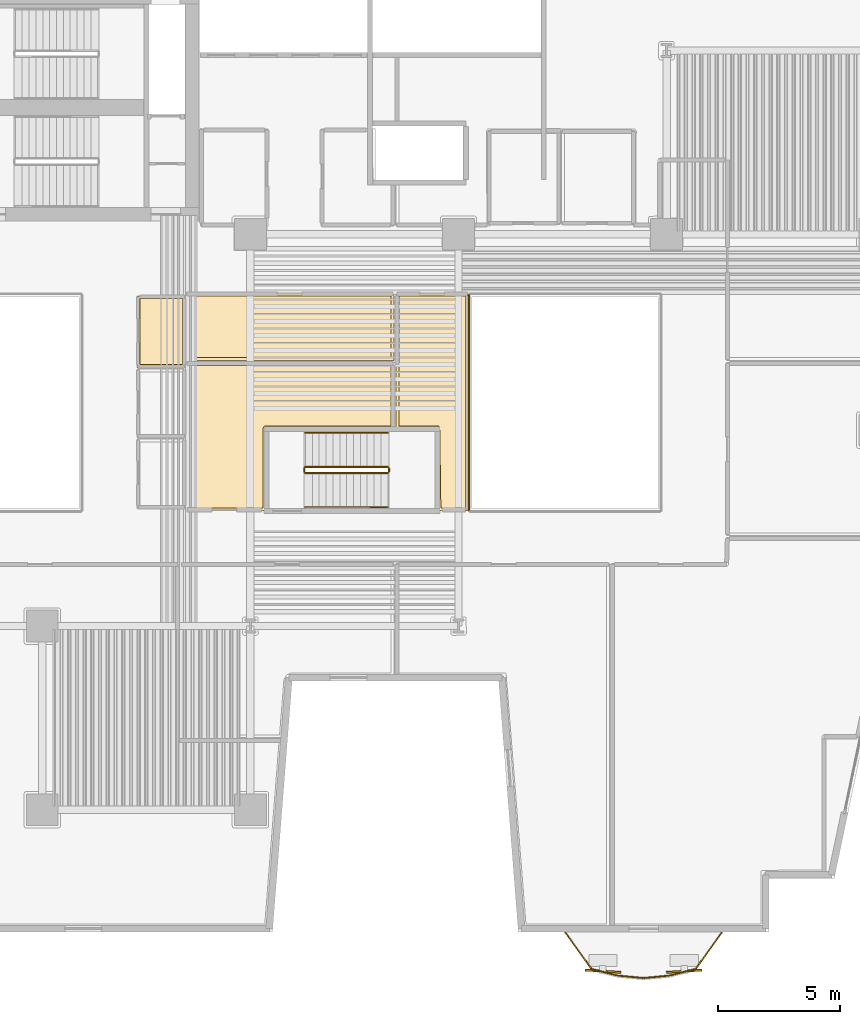
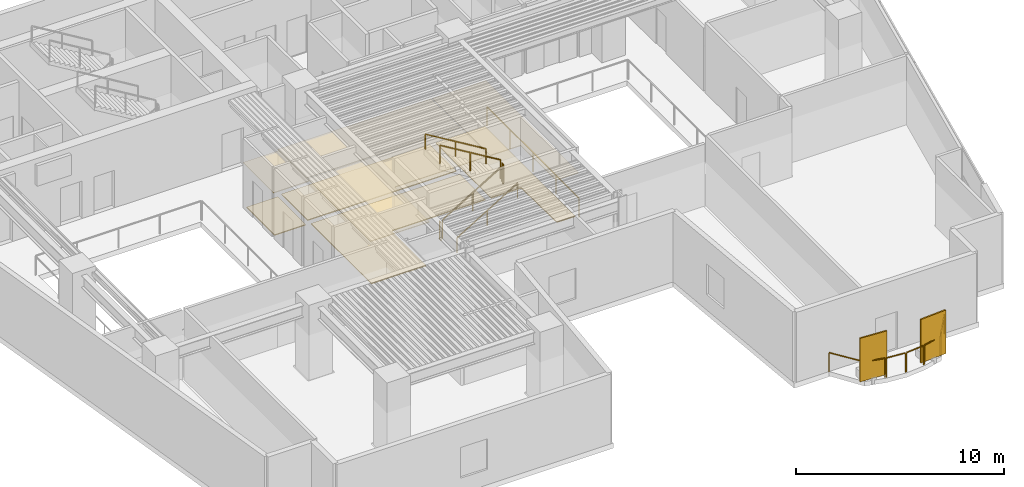
# One storey, part 9 of 12: 13 railings, 8 coverings, 2 shading devices.
"""IFC4 building model written with IfcOpenShell, lengths in metres."""

from ifc_helpers import new_model, si_unit, direction, frame, origin, origin_2d, place, context, subcontext, project, spatial, polyline, rectangle, outline, extrude, material, layer, layer_set, type_object, element, save


model = new_model("IFC4")

# Units and contexts
model_context = context("Model", 3, precision=1e-05, world=origin(), true_north=direction((0.0, 1.0)))
body_context = subcontext(model_context, "Body", "Model", "MODEL_VIEW")
ifc_project = project(units=[si_unit("LENGTHUNIT", "METRE"), si_unit("AREAUNIT", "SQUARE_METRE"), si_unit("VOLUMEUNIT", "CUBIC_METRE"), si_unit("PLANEANGLEUNIT", "RADIAN"), si_unit("MASSUNIT", "GRAM", prefix="KILO")], contexts=[model_context])

# Site, building, storey
site_placement = place(None, origin())
site = spatial("IfcSite", under=ifc_project, at=site_placement, CompositionType="ELEMENT")
building_placement = place(site_placement, origin())
building = spatial("IfcBuilding", under=site, at=building_placement, Name="Caeloran Harvest Quay", CompositionType="ELEMENT")
storey_placement = place(building_placement, frame((0.0, 0.0, 57.800048828125)))
storey = spatial("IfcBuildingStorey", under=building, at=storey_placement, Name="L13", CompositionType="ELEMENT", Elevation=57.800048828125)

# Coverings
ifc_material_1 = material(Name="Perforated Mineral-Fibre Acoustic Ceiling Tile", Category="ceiling")
ifc_layer_1 = layer(ifc_material_1, 0.0400390625, Name="Perforated Mineral-Fibre Acoustic Ceiling Tile")
ifc_layer_set_1 = layer_set([ifc_layer_1], Name="Perforated Mineral-Fibre Acoustic Ceiling Tile")
covering_type_1 = type_object("IfcCoveringType", Name="COV-CEILING-ACOUSTIC", PredefinedType="CEILING", material=ifc_layer_set_1)
covering_1_placement = place(storey_placement, frame((0.0, 0.0, 2.599853515625)))
element("IfcCovering", 1, at=covering_1_placement, inside=storey, type_object=covering_type_1, Name="L13 Male Washroom WC Acoustic Ceiling", PredefinedType="CEILING", context=body_context, shape_type="SweptSolid", body=[
    extrude(outline(polyline([(22.840087890625, 25.56005859375), (20.8701171875, 25.56005859375), (20.8701171875, 28.489990234375), (22.840087890625, 28.489990234375), (22.840087890625, 25.56005859375)])), origin(), (0.0, 0.0, 1.0), 0.0400390625),
])
covering_2_placement = place(storey_placement, frame((0.0, 0.0, 2.599853515625)))
element("IfcCovering", 2, at=covering_2_placement, inside=storey, type_object=covering_type_1, Name="Tea Blending Kitchen Acoustic Ceiling", PredefinedType="CEILING", context=body_context, shape_type="SweptSolid", body=[
    extrude(outline(polyline([(26.139892578125, 23.06005859375), (26.139892578125, 19.7099609375), (22.8701171875, 19.7099609375), (22.8701171875, 25.760009765625), (31.360107421875, 25.760009765625), (31.360107421875, 23.06005859375), (26.139892578125, 23.06005859375)])), origin(), (0.0, 0.0, 1.0), 0.0400390625),
])
covering_3_placement = place(storey_placement, frame((0.0, 0.0, 2.599853515625)))
element("IfcCovering", 3, at=covering_3_placement, inside=storey, type_object=covering_type_1, Name="Fermented Botanical Kitchen 8 Acoustic Ceiling", PredefinedType="CEILING", context=body_context, shape_type="SweptSolid", body=[
    extrude(outline(polyline([(31.43994140625, 28.610107421875), (34.409912109375, 28.610107421875), (34.409912109375, 19.7099609375), (33.160400390625, 19.7099609375), (33.13037109375, 23.06005859375), (31.43994140625, 23.06005859375), (31.43994140625, 28.610107421875)])), origin(), (0.0, 0.0, 1.0), 0.0400390625),
])
covering_4_placement = place(storey_placement, frame((0.0, 0.0, 2.599853515625)))
element("IfcCovering", 4, at=covering_4_placement, inside=storey, type_object=covering_type_1, Name="Hydroponic Culinary Kitchen 9 Acoustic Ceiling", PredefinedType="CEILING", context=body_context, shape_type="SweptSolid", body=[
    extrude(outline(polyline([(22.8701171875, 28.512939453125), (22.85009765625, 28.52001953125), (22.85009765625, 28.610107421875), (31.360107421875, 28.610107421875), (31.360107421875, 25.840087890625), (22.8701171875, 25.840087890625), (22.8701171875, 28.512939453125)])), origin(), (0.0, 0.0, 1.0), 0.0400390625),
])
ifc_material_2 = material(Name="Calcium-Sulphate Raised Access Floor and Terrazzo Finish", Category="flooring")
ifc_layer_2 = layer(ifc_material_2, 0.050048828125, Name="Calcium-Sulphate Raised Access Floor and Terrazzo Finish")
ifc_layer_set_2 = layer_set([ifc_layer_2], Name="Calcium-Sulphate Raised Access Floor and Terrazzo Finish")
covering_type_2 = type_object("IfcCoveringType", Name="COV-FLOOR-RAISED", PredefinedType="FLOORING", material=ifc_layer_set_2)
covering_5_placement = place(storey_placement, origin())
element("IfcCovering", 5, at=covering_5_placement, inside=storey, type_object=covering_type_2, Name="L13 Male Washroom WC Raised Finish Flooring", PredefinedType="FLOORING", context=body_context, shape_type="SweptSolid", body=[
    extrude(outline(polyline([(22.719970703125, 25.679931640625), (20.989990234375, 25.679931640625), (20.989990234375, 28.3701171875), (22.719970703125, 28.3701171875), (22.719970703125, 25.679931640625)])), origin(), (0.0, 0.0, 1.0), 0.050048828125),
])
covering_6_placement = place(storey_placement, origin())
element("IfcCovering", 6, at=covering_6_placement, inside=storey, type_object=covering_type_2, Name="Tea Blending Kitchen Raised Finish Flooring", PredefinedType="FLOORING", context=body_context, shape_type="SweptSolid", body=[
    extrude(outline(polyline([(26.101806640625, 23.17626953125), (26.04248046875, 23.13671875), (26.02001953125, 23.070068359375), (26.02001953125, 19.830078125), (22.989990234375, 19.830078125), (22.989990234375, 25.639892578125), (31.239990234375, 25.639892578125), (31.239990234375, 23.179931640625), (26.101806640625, 23.17626953125)])), origin(), (0.0, 0.0, 1.0), 0.050048828125),
])
covering_7_placement = place(storey_placement, origin())
element("IfcCovering", 7, at=covering_7_placement, inside=storey, type_object=covering_type_2, Name="Fermented Botanical Kitchen 8 Raised Finish Flooring", PredefinedType="FLOORING", context=body_context, shape_type="SweptSolid", body=[
    extrude(outline(polyline([(31.56005859375, 28.489990234375), (34.2900390625, 28.489990234375), (34.2900390625, 19.830078125), (33.279296875, 19.830078125), (33.231689453125, 23.151123046875), (33.169921875, 23.179931640625), (31.56005859375, 23.179931640625), (31.56005859375, 28.489990234375)])), origin(), (0.0, 0.0, 1.0), 0.050048828125),
])
covering_8_placement = place(storey_placement, origin())
element("IfcCovering", 8, at=covering_8_placement, inside=storey, type_object=covering_type_2, Name="Hydroponic Culinary Kitchen 9 Raised Finish Flooring", PredefinedType="FLOORING", context=body_context, shape_type="SweptSolid", body=[
    extrude(outline(polyline([(22.989990234375, 28.489990234375), (31.239990234375, 28.489990234375), (31.239990234375, 25.9599609375), (22.989990234375, 25.9599609375), (22.989990234375, 28.489990234375)])), origin(), (0.0, 0.0, 1.0), 0.050048828125),
])

# Railings
ifc_material_3 = material(Name="Powder-Coated Steel Post and Laminated Glass Guardrail", Category="steel")
ifc_layer_3 = layer(ifc_material_3, 0.06005859375, Name="Powder-Coated Steel Post and Laminated Glass Guardrail")
ifc_layer_set_3 = layer_set([ifc_layer_3], Name="Powder-Coated Steel Post and Laminated Glass Guardrail")
railing_type_1 = type_object("IfcRailingType", Name="GUARD-ATRIUM-1150", PredefinedType="GUARDRAIL", material=ifc_layer_set_3)
railing_1_placement = place(storey_placement, frame((34.429931640625, 28.5380859375, 0.0)))
element("IfcRailing", 9, at=railing_1_placement, inside=storey, type_object=railing_type_1, Name="L13 East Botanical Lightwell Guardrail Seg 4", PredefinedType="GUARDRAIL", context=body_context, shape_type="SweptSolid", body=[
    extrude(rectangle(XDim=0.048095703125, YDim=0.048095703125, at=origin_2d()), frame((0.0, 0.0, 1.1259765625), z_axis=(0.0, -1.0, 0.0), x_axis=(1.0, 0.0, 0.0)), (0.0, 0.0, 1.0), 8.826171875),
    extrude(rectangle(XDim=0.0419921875, YDim=0.0419921875, at=origin_2d()), origin(), (0.0, 0.0, 1.0), 1.101806640625),
    extrude(rectangle(XDim=0.0419921875, YDim=0.0419921875, at=origin_2d()), frame((0.0, -2.20654296875, 0.0)), (0.0, 0.0, 1.0), 1.101806640625),
    extrude(rectangle(XDim=0.0419921875, YDim=0.0419921875, at=origin_2d()), frame((0.0, -4.4130859375, 0.0)), (0.0, 0.0, 1.0), 1.101806640625),
    extrude(rectangle(XDim=0.0419921875, YDim=0.0419921875, at=origin_2d()), frame((0.0, -6.61962890625, 0.0)), (0.0, 0.0, 1.0), 1.101806640625),
    extrude(rectangle(XDim=0.0419921875, YDim=0.0419921875, at=origin_2d()), frame((0.0, -8.826171875, 0.0)), (0.0, 0.0, 1.0), 1.101806640625),
])
ifc_material_4 = material(Name="Laminated Safety Glass and Stainless Steel 316", Category="steel")
ifc_layer_4 = layer(ifc_material_4, 0.06005859375, Name="Laminated Safety Glass and Stainless Steel 316")
ifc_layer_set_4 = layer_set([ifc_layer_4], Name="Laminated Safety Glass and Stainless Steel 316")
railing_type_2 = type_object("IfcRailingType", Name="GUARD-BALUSTRADE-1150", PredefinedType="BALUSTRADE", material=ifc_layer_set_4)
railing_2_placement = place(storey_placement, frame((44.7509765625, 2.47998046875, 0.0)))
element("IfcRailing", 10, at=railing_2_placement, inside=storey, type_object=railing_type_2, Name="L13 Planted Balcony Perimeter Balustrade Guard Seg 1", PredefinedType="BALUSTRADE", context=body_context, shape_type="SweptSolid", body=[
    extrude(rectangle(XDim=0.048095703125, YDim=0.048095703125, at=origin_2d()), frame((0.0, 0.0, 1.1259765625), z_axis=(-0.583027076161, -0.812452723833, 0.0), x_axis=(0.812452723833, -0.583027076161, 0.0)), (0.0, 0.0, 1.0), 1.79296875),
    extrude(rectangle(XDim=0.0419921875, YDim=0.0419921875, at=origin_2d()), origin(), (0.0, 0.0, 1.0), 1.101806640625),
    extrude(rectangle(XDim=0.0419921875, YDim=0.0419921875, at=origin_2d()), frame((-1.04541015625, -1.456787109375, 0.0)), (0.0, 0.0, 1.0), 1.101806640625),
])
railing_3_placement = place(storey_placement, frame((43.65576171875, 0.9892578125, 0.0)))
element("IfcRailing", 11, at=railing_3_placement, inside=storey, type_object=railing_type_2, Name="L13 Planted Balcony Perimeter Balustrade Guard Seg 2", PredefinedType="BALUSTRADE", context=body_context, shape_type="SweptSolid", body=[
    extrude(rectangle(XDim=0.048095703125, YDim=0.048095703125, at=origin_2d()), frame((0.0, 0.0, 1.1259765625), z_axis=(-0.968624541573, -0.248528665272, 0.0), x_axis=(0.248528665272, -0.968624541573, 0.0)), (0.0, 0.0, 1.0), 1.034423828125),
    extrude(rectangle(XDim=0.0419921875, YDim=0.0419921875, at=origin_2d()), origin(), (0.0, 0.0, 1.0), 1.101806640625),
    extrude(rectangle(XDim=0.0419921875, YDim=0.0419921875, at=origin_2d()), frame((-1.001953125, -0.257080078125, 0.0)), (0.0, 0.0, 1.0), 1.101806640625),
])
railing_4_placement = place(storey_placement, frame((42.5908203125, 0.72119140625, 0.0)))
element("IfcRailing", 12, at=railing_4_placement, inside=storey, type_object=railing_type_2, Name="L13 Planted Balcony Perimeter Balustrade Guard Seg 3", PredefinedType="BALUSTRADE", context=body_context, shape_type="SweptSolid", body=[
    extrude(rectangle(XDim=0.048095703125, YDim=0.048095703125, at=origin_2d()), frame((0.0, 0.0, 1.1259765625), z_axis=(-0.995615861982, -0.093536385276, 0.0), x_axis=(0.093536385276, -0.995615861982, 0.0)), (0.0, 0.0, 1.0), 1.0048828125),
    extrude(rectangle(XDim=0.0419921875, YDim=0.0419921875, at=origin_2d()), origin(), (0.0, 0.0, 1.0), 1.101806640625),
    extrude(rectangle(XDim=0.0419921875, YDim=0.0419921875, at=origin_2d()), frame((-1.00048828125, -0.093994140625, 0.0)), (0.0, 0.0, 1.0), 1.101806640625),
])
railing_5_placement = place(storey_placement, frame((41.526611328125, 0.627197265625, 0.0)))
element("IfcRailing", 13, at=railing_5_placement, inside=storey, type_object=railing_type_2, Name="L13 Planted Balcony Perimeter Balustrade Guard Seg 4", PredefinedType="BALUSTRADE", context=body_context, shape_type="SweptSolid", body=[
    extrude(rectangle(XDim=0.048095703125, YDim=0.048095703125, at=origin_2d()), frame((0.0, 0.0, 1.1259765625), z_axis=(-0.995615861982, 0.093536385276, 0.0), x_axis=(-0.093536385276, -0.995615861982, 0.0)), (0.0, 0.0, 1.0), 1.0048828125),
    extrude(rectangle(XDim=0.0419921875, YDim=0.0419921875, at=origin_2d()), origin(), (0.0, 0.0, 1.0), 1.101806640625),
    extrude(rectangle(XDim=0.0419921875, YDim=0.0419921875, at=origin_2d()), frame((-1.00048828125, 0.093994140625, 0.0)), (0.0, 0.0, 1.0), 1.101806640625),
])
railing_6_placement = place(storey_placement, frame((40.46337890625, 0.732177734375, 0.0)))
element("IfcRailing", 14, at=railing_6_placement, inside=storey, type_object=railing_type_2, Name="L13 Planted Balcony Perimeter Balustrade Guard Seg 5", PredefinedType="BALUSTRADE", context=body_context, shape_type="SweptSolid", body=[
    extrude(rectangle(XDim=0.048095703125, YDim=0.048095703125, at=origin_2d()), frame((0.0, 0.0, 1.1259765625), z_axis=(-0.968639114681, 0.248471860599, 0.0), x_axis=(-0.248471860599, -0.968639114681, 0.0)), (0.0, 0.0, 1.0), 1.03466796875),
    extrude(rectangle(XDim=0.0419921875, YDim=0.0419921875, at=origin_2d()), origin(), (0.0, 0.0, 1.0), 1.101806640625),
    extrude(rectangle(XDim=0.0419921875, YDim=0.0419921875, at=origin_2d()), frame((-1.002197265625, 0.257080078125, 0.0)), (0.0, 0.0, 1.0), 1.101806640625),
])
railing_7_placement = place(storey_placement, frame((39.41162109375, 1.023193359375, 0.0)))
element("IfcRailing", 15, at=railing_7_placement, inside=storey, type_object=railing_type_2, Name="L13 Planted Balcony Perimeter Balustrade Guard Seg 6", PredefinedType="BALUSTRADE", context=body_context, shape_type="SweptSolid", body=[
    extrude(rectangle(XDim=0.048095703125, YDim=0.048095703125, at=origin_2d()), frame((0.0, 0.0, 1.1259765625), z_axis=(-0.583116940326, 0.812388228561, 0.0), x_axis=(-0.812388228561, -0.583116940326, 0.0)), (0.0, 0.0, 1.0), 1.793212890625),
    extrude(rectangle(XDim=0.0419921875, YDim=0.0419921875, at=origin_2d()), origin(), (0.0, 0.0, 1.0), 1.101806640625),
    extrude(rectangle(XDim=0.0419921875, YDim=0.0419921875, at=origin_2d()), frame((-1.045654296875, 1.456787109375, 0.0)), (0.0, 0.0, 1.0), 1.101806640625),
])

# Shading devices
ifc_material_5 = material(Name="3003-H14 Perforated Powder-Coated Aluminium", Category="aluminium")
shading_device_type = type_object("IfcShadingDeviceType", Name="SHADE-SCREEN-FOLDED", PredefinedType="USERDEFINED", material=ifc_material_5)
for number, where, z_axis, x_axis, name in (
    (16, (43.218505859375, 0.903564453125, 0.07470703125), (0.0, 0.0, 1.0), (0.997801468292, 0.0662739004, 0.0), "L13 Folded Facade Breathing Screen 1"),
    (17, (39.8984375, 0.903564453125, 0.07470703125), (0.0, 0.0, 1.0), (0.997801468292, -0.0662739004, 0.0), "L13 Folded Facade Breathing Screen 2"),
):
    element("IfcShadingDevice", number, at=place(storey_placement, frame(where, z_axis=z_axis, x_axis=x_axis)), inside=storey, type_object=shading_device_type, Name=name, ObjectType="SCREEN", PredefinedType="USERDEFINED", context=body_context, shape_type="SweptSolid", body=[
        extrude(rectangle(XDim=1.449951171875, YDim=0.080078125, at=origin_2d()), origin(), (0.0, 0.0, 1.0), 2.550048828125),
    ])

# Railings
ifc_material_6 = material(Name="Painted Steel Baluster and Top-Rail Stair Guard", Category="steel")
ifc_layer_5 = layer(ifc_material_6, 0.050048828125, Name="Painted Steel Baluster and Top-Rail Stair Guard")
ifc_layer_set_5 = layer_set([ifc_layer_5], Name="Painted Steel Baluster and Top-Rail Stair Guard")
railing_type_3 = type_object("IfcRailingType", Name="STAIR-GUARD-1100", PredefinedType="GUARDRAIL", material=ifc_layer_set_5)
railing_8_placement = place(storey_placement, frame((27.75, 21.25, 0.169189453125)))
element("IfcRailing", 18, at=railing_8_placement, inside=storey, type_object=railing_type_3, Name="L13 ST-W1 stair guard 1", PredefinedType="GUARDRAIL", context=body_context, shape_type="SweptSolid", body=[
    extrude(rectangle(XDim=0.048095703125, YDim=0.048095703125, at=origin_2d()), frame((0.0, 0.0, 1.076171875), z_axis=(0.855836976705, 0.0, 0.517245656632), x_axis=(0.0, 1.0, 0.0)), (0.0, 0.0, 1.0), 3.926025390625),
    extrude(rectangle(XDim=0.0419921875, YDim=0.0419921875, at=origin_2d()), origin(), (0.0, 0.0, 1.0), 1.052001953125),
    extrude(rectangle(XDim=0.0419921875, YDim=0.0419921875, at=origin_2d()), frame((1.68017578125, 0.0, 1.015380859375)), (0.0, 0.0, 1.0), 1.052001953125),
    extrude(rectangle(XDim=0.0419921875, YDim=0.0419921875, at=origin_2d()), frame((3.360107421875, 0.0, 2.03076171875)), (0.0, 0.0, 1.0), 1.052001953125),
])
railing_9_placement = place(storey_placement, frame((31.159912109375, 21.300048828125, 2.199951171875)))
element("IfcRailing", 19, at=railing_9_placement, inside=storey, type_object=railing_type_3, Name="L13 ST-W1 stair guard 2", PredefinedType="GUARDRAIL", context=body_context, shape_type="SweptSolid", body=[
    extrude(rectangle(XDim=0.048095703125, YDim=0.048095703125, at=origin_2d()), frame((0.0, 0.0, 1.076171875), z_axis=(0.0, 1.0, 0.0), x_axis=(-1.0, 0.0, 0.0)), (0.0, 0.0, 1.0), 0.14990234375),
    extrude(rectangle(XDim=0.0419921875, YDim=0.0419921875, at=origin_2d()), origin(), (0.0, 0.0, 1.0), 1.052001953125),
    extrude(rectangle(XDim=0.0419921875, YDim=0.0419921875, at=origin_2d()), frame((0.0, 0.14990234375, 0.0)), (0.0, 0.0, 1.0), 1.052001953125),
])
railing_10_placement = place(storey_placement, frame((31.110107421875, 21.5, 2.369140625)))
element("IfcRailing", 20, at=railing_10_placement, inside=storey, type_object=railing_type_3, Name="L13 ST-W1 stair guard 3", PredefinedType="GUARDRAIL", context=body_context, shape_type="SweptSolid", body=[
    extrude(rectangle(XDim=0.048095703125, YDim=0.048095703125, at=origin_2d()), frame((0.0, 0.0, 1.076171875), z_axis=(-0.855836976705, 0.0, 0.517245656632), x_axis=(0.0, -1.0, 0.0)), (0.0, 0.0, 1.0), 3.926025390625),
    extrude(rectangle(XDim=0.0419921875, YDim=0.0419921875, at=origin_2d()), origin(), (0.0, 0.0, 1.0), 1.052001953125),
    extrude(rectangle(XDim=0.0419921875, YDim=0.0419921875, at=origin_2d()), frame((-1.68017578125, 0.0, 1.015380859375)), (0.0, 0.0, 1.0), 1.052001953125),
    extrude(rectangle(XDim=0.0419921875, YDim=0.0419921875, at=origin_2d()), frame((-3.360107421875, 0.0, 2.03076171875)), (0.0, 0.0, 1.0), 1.052001953125),
])
railing_11_placement = place(storey_placement, frame((27.699951171875, 21.300048828125, 0.0)))
element("IfcRailing", 21, at=railing_11_placement, inside=storey, type_object=railing_type_3, Name="L13 ST-W1 stair guard 4", PredefinedType="GUARDRAIL", context=body_context, shape_type="SweptSolid", body=[
    extrude(rectangle(XDim=0.048095703125, YDim=0.048095703125, at=origin_2d()), frame((0.0, 0.0, 1.076171875), z_axis=(0.0, 1.0, 0.0), x_axis=(-1.0, 0.0, 0.0)), (0.0, 0.0, 1.0), 0.14990234375),
    extrude(rectangle(XDim=0.0419921875, YDim=0.0419921875, at=origin_2d()), origin(), (0.0, 0.0, 1.0), 1.052001953125),
    extrude(rectangle(XDim=0.0419921875, YDim=0.0419921875, at=origin_2d()), frame((0.0, 0.14990234375, 0.0)), (0.0, 0.0, 1.0), 1.052001953125),
])
ifc_material_7 = material(Name="Brushed Stainless Steel Grade 304", Category="steel")
ifc_layer_6 = layer(ifc_material_7, 0.050048828125, Name="Brushed Stainless Steel Grade 304")
ifc_layer_set_6 = layer_set([ifc_layer_6], Name="Brushed Stainless Steel Grade 304")
railing_type_4 = type_object("IfcRailingType", Name="STAIR-HANDRAIL-900", PredefinedType="HANDRAIL", material=ifc_layer_set_6)
railing_12_placement = place(storey_placement, frame((27.75, 19.85009765625, 0.169189453125)))
element("IfcRailing", 22, at=railing_12_placement, inside=storey, type_object=railing_type_4, Name="L13 ST-W1 stair handrail 1", PredefinedType="HANDRAIL", context=body_context, shape_type="SweptSolid", body=[
    extrude(rectangle(XDim=0.048095703125, YDim=0.048095703125, at=origin_2d()), frame((0.0, 0.0, 0.8759765625), z_axis=(0.855836976705, 0.0, 0.517245656632), x_axis=(0.0, 1.0, 0.0)), (0.0, 0.0, 1.0), 3.926025390625),
    extrude(rectangle(XDim=0.0419921875, YDim=0.0419921875, at=origin_2d()), origin(), (0.0, 0.0, 1.0), 0.851806640625),
    extrude(rectangle(XDim=0.0419921875, YDim=0.0419921875, at=origin_2d()), frame((1.68017578125, 0.0, 1.015380859375)), (0.0, 0.0, 1.0), 0.851806640625),
    extrude(rectangle(XDim=0.0419921875, YDim=0.0419921875, at=origin_2d()), frame((3.360107421875, 0.0, 2.03076171875)), (0.0, 0.0, 1.0), 0.851806640625),
])
railing_13_placement = place(storey_placement, frame((31.110107421875, 22.89990234375, 2.369140625)))
element("IfcRailing", 23, at=railing_13_placement, inside=storey, type_object=railing_type_4, Name="L13 ST-W1 stair handrail 2", PredefinedType="HANDRAIL", context=body_context, shape_type="SweptSolid", body=[
    extrude(rectangle(XDim=0.048095703125, YDim=0.048095703125, at=origin_2d()), frame((0.0, 0.0, 0.8759765625), z_axis=(-0.855836976705, 0.0, 0.517245656632), x_axis=(0.0, -1.0, 0.0)), (0.0, 0.0, 1.0), 3.926025390625),
    extrude(rectangle(XDim=0.0419921875, YDim=0.0419921875, at=origin_2d()), origin(), (0.0, 0.0, 1.0), 0.851806640625),
    extrude(rectangle(XDim=0.0419921875, YDim=0.0419921875, at=origin_2d()), frame((-1.68017578125, 0.0, 1.015380859375)), (0.0, 0.0, 1.0), 0.851806640625),
    extrude(rectangle(XDim=0.0419921875, YDim=0.0419921875, at=origin_2d()), frame((-3.360107421875, 0.0, 2.03076171875)), (0.0, 0.0, 1.0), 0.851806640625),
])

save(model, "model.ifc")
